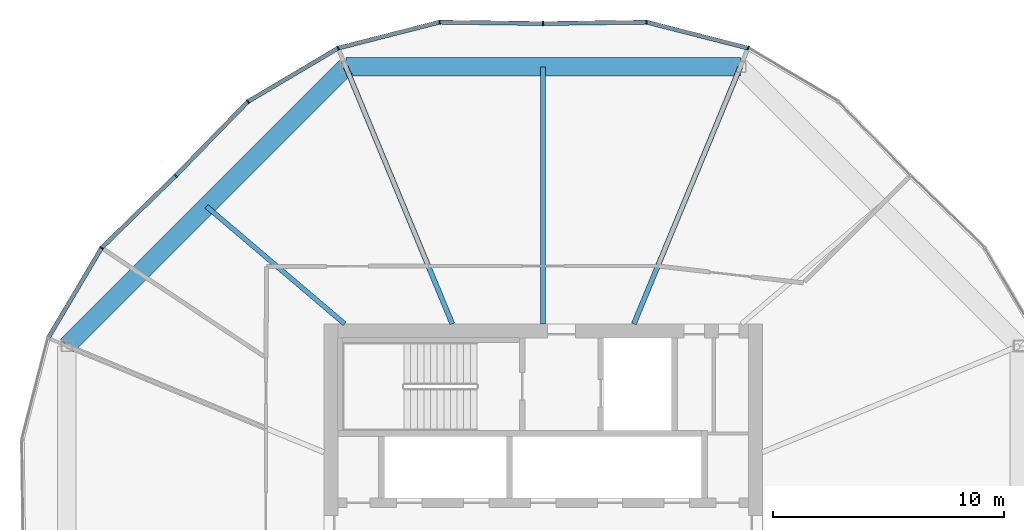
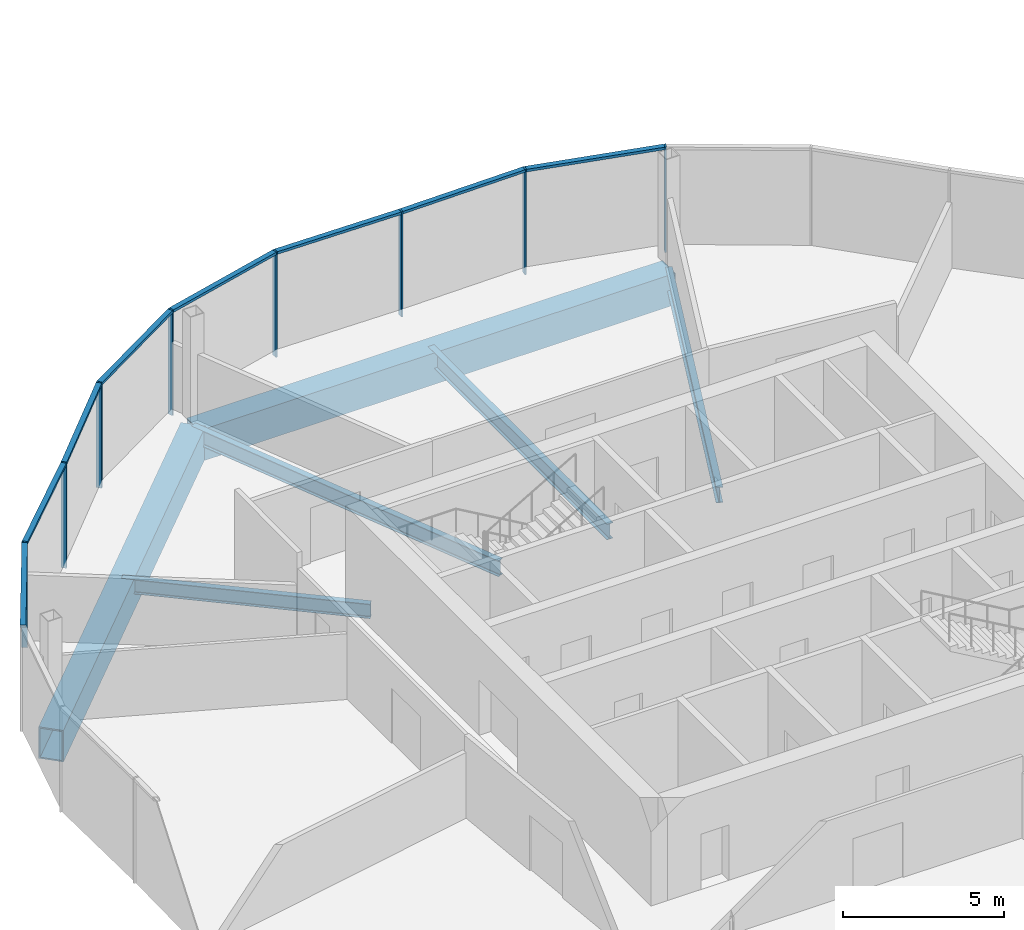
# One storey, part 9 of 25: 16 members, 6 beams, 3 elements without a shape of their own.
"""IFC4 building model written with IfcOpenShell, lengths in metres."""

from ifc_helpers import new_model, si_unit, direction, frame, origin, origin_2d, place, context, subcontext, project, spatial, rectangle, hollow_rectangle, i_section, extrude, material, material_profile, profile_set, type_object, element, aggregate, save


model = new_model("IFC4")

# Units and contexts
model_context = context("Model", 3, precision=1e-05, world=origin(), true_north=direction((0.0, 1.0)))
body_context = subcontext(model_context, "Body", "Model", "MODEL_VIEW")
ifc_project = project(units=[si_unit("LENGTHUNIT", "METRE"), si_unit("AREAUNIT", "SQUARE_METRE"), si_unit("VOLUMEUNIT", "CUBIC_METRE"), si_unit("PLANEANGLEUNIT", "RADIAN"), si_unit("MASSUNIT", "GRAM", prefix="KILO")], contexts=[model_context])

# Site, building, storey
site_placement = place(None, origin())
site = spatial("IfcSite", under=ifc_project, at=site_placement, CompositionType="ELEMENT")
building_placement = place(site_placement, origin())
building = spatial("IfcBuilding", under=site, at=building_placement, Name="Ogive Gate Towers", CompositionType="ELEMENT")
storey_placement = place(building_placement, frame((0.0, 0.0, 152.800048828125)))
storey = spatial("IfcBuildingStorey", under=building, at=storey_placement, Name="L36", CompositionType="ELEMENT", Elevation=152.800048828125)

# Beams
ifc_material_1 = material(Name="Steel SM460", Category="steel")
ifc_material_profile_1 = material_profile(ifc_material_1, hollow_rectangle(XDim=0.800048828125, YDim=1.199951171875, WallThickness=0.050048828125, at=origin_2d()), Name="BX 1200x800x50")
ifc_profile_set_1 = profile_set([ifc_material_profile_1], Name="Steel SM460")
beam_type_1 = type_object("IfcBeamType", Name="Edge girder BX 1200x800x50", PredefinedType="BEAM", material=ifc_profile_set_1)
beam_1_placement = place(storey_placement, frame((-27.450927734375, 20.639404296875, -0.900146484375), z_axis=(-1.0, 0.0, 0.0), x_axis=(0.0, -1.0, 0.0)))
element("IfcBeam", 1, at=beam_1_placement, inside=storey, type_object=beam_type_1, Name="T1/L36/SBM022", PredefinedType="BEAM", context=body_context, shape_type="SweptSolid", body=[
    extrude(hollow_rectangle(XDim=0.800048828125, YDim=1.199951171875, WallThickness=0.050048828125, at=origin_2d()), origin(), (0.0, 0.0, 1.0), 17.09814453125),
])
beam_2_placement = place(storey_placement, frame((-44.549072265625, 20.639404296875, -0.900146484375), z_axis=(-0.707106781187, -0.707106781187, 0.0), x_axis=(0.707106781187, -0.707106781187, 0.0)))
element("IfcBeam", 2, at=beam_2_placement, inside=storey, type_object=beam_type_1, Name="T1/L36/SBM023", PredefinedType="BEAM", context=body_context, shape_type="SweptSolid", body=[
    extrude(hollow_rectangle(XDim=0.800048828125, YDim=1.199951171875, WallThickness=0.050048828125, at=origin_2d()), origin(), (0.0, 0.0, 1.0), 17.098388671875),
])
ifc_material_2 = material(Name="Steel SM355", Category="steel")
ifc_material_profile_2 = material_profile(ifc_material_2, i_section(OverallWidth=0.2099609375, OverallDepth=0.550048828125, WebThickness=0.010986328125, FlangeThickness=0.01708984375, FilletRadius=0.02392578125, at=origin_2d()), Name="IPE 550")
ifc_profile_set_2 = profile_set([ifc_material_profile_2], Name="Steel SM355")
beam_type_2 = type_object("IfcBeamType", Name="Radial floor beam IPE 550", PredefinedType="BEAM", material=ifc_profile_set_2)
beam_3_placement = place(storey_placement, frame((-44.60009765625, 9.5, -0.574951171875), z_axis=(-0.761988324045, 0.647590761222, 0.0), x_axis=(-0.647590761222, -0.761988324045, 0.0)))
element("IfcBeam", 3, at=beam_3_placement, inside=storey, type_object=beam_type_2, Name="T1/L36/SBM014", PredefinedType="BEAM", context=body_context, shape_type="SweptSolid", body=[
    extrude(i_section(OverallWidth=0.2099609375, OverallDepth=0.550048828125, WebThickness=0.010986328125, FlangeThickness=0.01708984375, FilletRadius=0.02392578125, at=origin_2d()), origin(), (0.0, 0.0, 1.0), 7.866455078125),
])
ifc_material_profile_3 = material_profile(ifc_material_2, i_section(OverallWidth=0.219970703125, OverallDepth=0.60009765625, WebThickness=0.011962890625, FlangeThickness=0.01904296875, FilletRadius=0.02392578125, at=origin_2d()), Name="IPE 600")
ifc_profile_set_3 = profile_set([ifc_material_profile_3], Name="Steel SM355")
beam_type_3 = type_object("IfcBeamType", Name="Radial floor beam IPE 600", PredefinedType="BEAM", material=ifc_profile_set_3)
beam_4_placement = place(storey_placement, frame((-32.06494140625, 9.5, -0.60009765625), z_axis=(0.382677863518, 0.923881839184, 0.0), x_axis=(-0.923881839184, 0.382677863518, 0.0)))
element("IfcBeam", 4, at=beam_4_placement, inside=storey, type_object=beam_type_3, Name="T1/L36/SBM011", PredefinedType="BEAM", context=body_context, shape_type="SweptSolid", body=[
    extrude(i_section(OverallWidth=0.219970703125, OverallDepth=0.60009765625, WebThickness=0.011962890625, FlangeThickness=0.01904296875, FilletRadius=0.02392578125, at=origin_2d()), origin(), (0.0, 0.0, 1.0), 12.05712890625),
])
beam_5_placement = place(storey_placement, frame((-36.0, 9.5, -0.60009765625), z_axis=(0.0, 1.0, 0.0), x_axis=(-1.0, 0.0, 0.0)))
element("IfcBeam", 5, at=beam_5_placement, inside=storey, type_object=beam_type_3, Name="T1/L36/SBM012", PredefinedType="BEAM", context=body_context, shape_type="SweptSolid", body=[
    extrude(i_section(OverallWidth=0.219970703125, OverallDepth=0.60009765625, WebThickness=0.011962890625, FlangeThickness=0.01904296875, FilletRadius=0.02392578125, at=origin_2d()), origin(), (0.0, 0.0, 1.0), 11.139404296875),
])
beam_6_placement = place(storey_placement, frame((-39.93505859375, 9.5, -0.60009765625), z_axis=(-0.382677863518, 0.923881839184, 0.0), x_axis=(-0.923881839184, -0.382677863518, 0.0)))
element("IfcBeam", 6, at=beam_6_placement, inside=storey, type_object=beam_type_3, Name="T1/L36/SBM013", PredefinedType="BEAM", context=body_context, shape_type="SweptSolid", body=[
    extrude(i_section(OverallWidth=0.219970703125, OverallDepth=0.60009765625, WebThickness=0.011962890625, FlangeThickness=0.01904296875, FilletRadius=0.02392578125, at=origin_2d()), origin(), (0.0, 0.0, 1.0), 12.05712890625),
])

# Curtain wall, members
ifc_material_3 = material(Name="Pale metal aluminium", Category="aluminium")
curtain_wall_type = type_object("IfcCurtainWallType", Name="Tower unitised wall, high zone", PredefinedType="NOTDEFINED", material=ifc_material_3)
curtain_wall_1_placement = place(storey_placement, origin())
curtain_wall_1 = element("IfcCurtainWall", 7, at=curtain_wall_1_placement, inside=storey, type_object=curtain_wall_type, Name="CW2 T1 ECW02", PredefinedType="NOTDEFINED")
ifc_material_profile_4 = material_profile(ifc_material_3, rectangle(XDim=0.179931640625, YDim=0.06005859375, at=origin_2d()), Name="60 x 180 aluminium box")
ifc_profile_set_4 = profile_set([ifc_material_profile_4], Name="Pale metal aluminium")
member_type_1 = type_object("IfcMemberType", Name="Tower unitised wall, high zone mullion 60 x 180", PredefinedType="MULLION", material=ifc_profile_set_4)
member_1_placement = place(storey_placement, frame((-27.11376953125, 21.45361328125, -0.300048828125), z_axis=(0.0, 0.0, 1.0), x_axis=(0.382683432365, 0.923879532511, 0.0)))
member_1 = element("IfcMember", 8, at=member_1_placement, type_object=member_type_1, Name="CW2 mullion", PredefinedType="MULLION", context=body_context, shape_type="SweptSolid", body=[
    extrude(rectangle(XDim=0.179931640625, YDim=0.06005859375, at=origin_2d()), origin(), (0.0, 0.0, 1.0), 4.0),
])
member_2_placement = place(storey_placement, frame((-31.515869140625, 22.57958984375, -0.300048828125), z_axis=(0.0, 0.0, 1.0), x_axis=(0.118317315268, 0.992975837021, 0.0)))
member_2 = element("IfcMember", 9, at=member_2_placement, type_object=member_type_1, Name="CW2 mullion", PredefinedType="MULLION", context=body_context, shape_type="SweptSolid", body=[
    extrude(rectangle(XDim=0.179931640625, YDim=0.06005859375, at=origin_2d()), origin(), (0.0, 0.0, 1.0), 4.0),
])
member_3_placement = place(storey_placement, frame((-36.0, 22.52001953125, -0.300048828125), z_axis=(0.0, 0.0, 1.0), x_axis=(-0.013281565099, 0.999911796124, 0.0)))
member_3 = element("IfcMember", 10, at=member_3_placement, type_object=member_type_1, Name="CW2 mullion", PredefinedType="MULLION", context=body_context, shape_type="SweptSolid", body=[
    extrude(rectangle(XDim=0.179931640625, YDim=0.06005859375, at=origin_2d()), origin(), (0.0, 0.0, 1.0), 4.0),
])

curtain_wall_2_placement = place(storey_placement, origin())
curtain_wall_2 = element("IfcCurtainWall", 11, at=curtain_wall_2_placement, inside=storey, type_object=curtain_wall_type, Name="CW2 T1 ECW03", PredefinedType="NOTDEFINED")
member_4_placement = place(storey_placement, frame((-40.484130859375, 22.57958984375, -0.300048828125), z_axis=(0.0, 0.0, 1.0), x_axis=(-0.118317315268, 0.992975837021, 0.0)))
member_4 = element("IfcMember", 12, at=member_4_placement, type_object=member_type_1, Name="CW2 mullion", PredefinedType="MULLION", context=body_context, shape_type="SweptSolid", body=[
    extrude(rectangle(XDim=0.179931640625, YDim=0.06005859375, at=origin_2d()), origin(), (0.0, 0.0, 1.0), 4.0),
])
member_5_placement = place(storey_placement, frame((-44.88623046875, 21.45361328125, -0.300048828125), z_axis=(0.0, 0.0, 1.0), x_axis=(-0.382683432365, 0.923879532511, 0.0)))
member_5 = element("IfcMember", 13, at=member_5_placement, type_object=member_type_1, Name="CW2 mullion", PredefinedType="MULLION", context=body_context, shape_type="SweptSolid", body=[
    extrude(rectangle(XDim=0.179931640625, YDim=0.06005859375, at=origin_2d()), origin(), (0.0, 0.0, 1.0), 4.0),
])
member_6_placement = place(storey_placement, frame((-48.79541015625, 19.136962890625, -0.300048828125), z_axis=(0.0, 0.0, 1.0), x_axis=(-0.618476971954, 0.78580292387, 0.0)))
member_6 = element("IfcMember", 14, at=member_6_placement, type_object=member_type_1, Name="CW2 mullion", PredefinedType="MULLION", context=body_context, shape_type="SweptSolid", body=[
    extrude(rectangle(XDim=0.179931640625, YDim=0.06005859375, at=origin_2d()), origin(), (0.0, 0.0, 1.0), 4.0),
])
member_7_placement = place(storey_placement, frame((-51.923828125, 15.924072265625, -0.300048828125), z_axis=(0.0, 0.0, 1.0), x_axis=(-0.716435896374, 0.697652926882, 0.0)))
member_7 = element("IfcMember", 15, at=member_7_placement, type_object=member_type_1, Name="CW2 mullion", PredefinedType="MULLION", context=body_context, shape_type="SweptSolid", body=[
    extrude(rectangle(XDim=0.179931640625, YDim=0.06005859375, at=origin_2d()), origin(), (0.0, 0.0, 1.0), 4.0),
])

# Curtain wall, member
curtain_wall_3_placement = place(storey_placement, origin())
curtain_wall_3 = element("IfcCurtainWall", 16, at=curtain_wall_3_placement, inside=storey, type_object=curtain_wall_type, Name="CW2 T1 ECW04", PredefinedType="NOTDEFINED")
member_8_placement = place(storey_placement, frame((-55.136962890625, 12.79541015625, -0.300048828125), z_axis=(0.0, 0.0, 1.0), x_axis=(-0.78580292387, 0.618476971954, 0.0)))
member_8 = element("IfcMember", 17, at=member_8_placement, type_object=member_type_1, Name="CW2 mullion", PredefinedType="MULLION", context=body_context, shape_type="SweptSolid", body=[
    extrude(rectangle(XDim=0.179931640625, YDim=0.06005859375, at=origin_2d()), origin(), (0.0, 0.0, 1.0), 4.0),
])

# Member
ifc_material_profile_5 = material_profile(ifc_material_3, rectangle(XDim=0.179931640625, YDim=0.10009765625, at=origin_2d()), Name="100 x 180 aluminium box")
ifc_profile_set_5 = profile_set([ifc_material_profile_5], Name="Pale metal aluminium")
member_type_2 = type_object("IfcMemberType", Name="Tower unitised wall, high zone transom 100 x 180", PredefinedType="USERDEFINED", material=ifc_profile_set_5)
member_9_placement = place(storey_placement, frame((-27.141357421875, 21.46044921875, 3.64990234375), z_axis=(-0.968796323569, 0.247858192196, 0.0), x_axis=(-0.247858192196, -0.968796323569, 0.0)))
member_9 = element("IfcMember", 18, at=member_9_placement, type_object=member_type_2, Name="CW2 transom", ObjectType="TRANSOM", PredefinedType="USERDEFINED", context=body_context, shape_type="SweptSolid", body=[
    extrude(rectangle(XDim=0.179931640625, YDim=0.10009765625, at=origin_2d()), origin(), (0.0, 0.0, 1.0), 4.486572265625),
])

member_10_placement = place(storey_placement, frame((-31.54443359375, 22.5791015625, 3.64990234375), z_axis=(-0.999912363802, -0.013238758058, 0.0), x_axis=(0.013238758058, -0.999912363802, 0.0)))
member_10 = element("IfcMember", 19, at=member_10_placement, type_object=member_type_2, Name="CW2 transom", ObjectType="TRANSOM", PredefinedType="USERDEFINED", context=body_context, shape_type="SweptSolid", body=[
    extrude(rectangle(XDim=0.179931640625, YDim=0.10009765625, at=origin_2d()), origin(), (0.0, 0.0, 1.0), 4.426025390625),
])

aggregate(curtain_wall_1, [member_1, member_2, member_9, member_3, member_10])

member_11_placement = place(storey_placement, frame((-36.030029296875, 22.5205078125, 3.64990234375), z_axis=(-0.999912363802, 0.013238758058, 0.0), x_axis=(-0.013238758058, -0.999912363802, 0.0)))
member_11 = element("IfcMember", 20, at=member_11_placement, type_object=member_type_2, Name="CW2 transom", ObjectType="TRANSOM", PredefinedType="USERDEFINED", context=body_context, shape_type="SweptSolid", body=[
    extrude(rectangle(XDim=0.179931640625, YDim=0.10009765625, at=origin_2d()), origin(), (0.0, 0.0, 1.0), 4.426025390625),
])

member_12_placement = place(storey_placement, frame((-40.511962890625, 22.572509765625, 3.64990234375), z_axis=(-0.968796323569, -0.247858192196, 0.0), x_axis=(0.247858192196, -0.968796323569, 0.0)))
member_12 = element("IfcMember", 21, at=member_12_placement, type_object=member_type_2, Name="CW2 transom", ObjectType="TRANSOM", PredefinedType="USERDEFINED", context=body_context, shape_type="SweptSolid", body=[
    extrude(rectangle(XDim=0.179931640625, YDim=0.10009765625, at=origin_2d()), origin(), (0.0, 0.0, 1.0), 4.486572265625),
])

member_13_placement = place(storey_placement, frame((-44.910888671875, 21.438720703125, 3.64990234375), z_axis=(-0.860312746739, -0.509766591489, 0.0), x_axis=(0.509766591489, -0.860312746739, 0.0)))
member_13 = element("IfcMember", 22, at=member_13_placement, type_object=member_type_2, Name="CW2 transom", ObjectType="TRANSOM", PredefinedType="USERDEFINED", context=body_context, shape_type="SweptSolid", body=[
    extrude(rectangle(XDim=0.179931640625, YDim=0.10009765625, at=origin_2d()), origin(), (0.0, 0.0, 1.0), 4.486572265625),
])

member_14_placement = place(storey_placement, frame((-48.8154296875, 19.116455078125, 3.64990234375), z_axis=(-0.697639038006, -0.71644942086, 0.0), x_axis=(0.71644942086, -0.697639038006, 0.0)))
member_14 = element("IfcMember", 23, at=member_14_placement, type_object=member_type_2, Name="CW2 transom", ObjectType="TRANSOM", PredefinedType="USERDEFINED", context=body_context, shape_type="SweptSolid", body=[
    extrude(rectangle(XDim=0.179931640625, YDim=0.10009765625, at=origin_2d()), origin(), (0.0, 0.0, 1.0), 4.42578125),
])

aggregate(curtain_wall_2, [member_4, member_11, member_5, member_12, member_6, member_13, member_7, member_14])

member_15_placement = place(storey_placement, frame((-51.945556640625, 15.903076171875, 3.64990234375), z_axis=(-0.71644942086, -0.697639038006, 0.0), x_axis=(0.697639038006, -0.71644942086, 0.0)))
member_15 = element("IfcMember", 24, at=member_15_placement, type_object=member_type_2, Name="CW2 transom", ObjectType="TRANSOM", PredefinedType="USERDEFINED", context=body_context, shape_type="SweptSolid", body=[
    extrude(rectangle(XDim=0.179931640625, YDim=0.10009765625, at=origin_2d()), origin(), (0.0, 0.0, 1.0), 4.42578125),
])

member_16_placement = place(storey_placement, frame((-55.151611328125, 12.770751953125, 3.64990234375), z_axis=(-0.509766591489, -0.860312746739, 0.0), x_axis=(0.860312746739, -0.509766591489, 0.0)))
member_16 = element("IfcMember", 25, at=member_16_placement, type_object=member_type_2, Name="CW2 transom", ObjectType="TRANSOM", PredefinedType="USERDEFINED", context=body_context, shape_type="SweptSolid", body=[
    extrude(rectangle(XDim=0.179931640625, YDim=0.10009765625, at=origin_2d()), origin(), (0.0, 0.0, 1.0), 4.486572265625),
])

aggregate(curtain_wall_3, [member_8, member_15, member_16])

save(model, "model.ifc")
